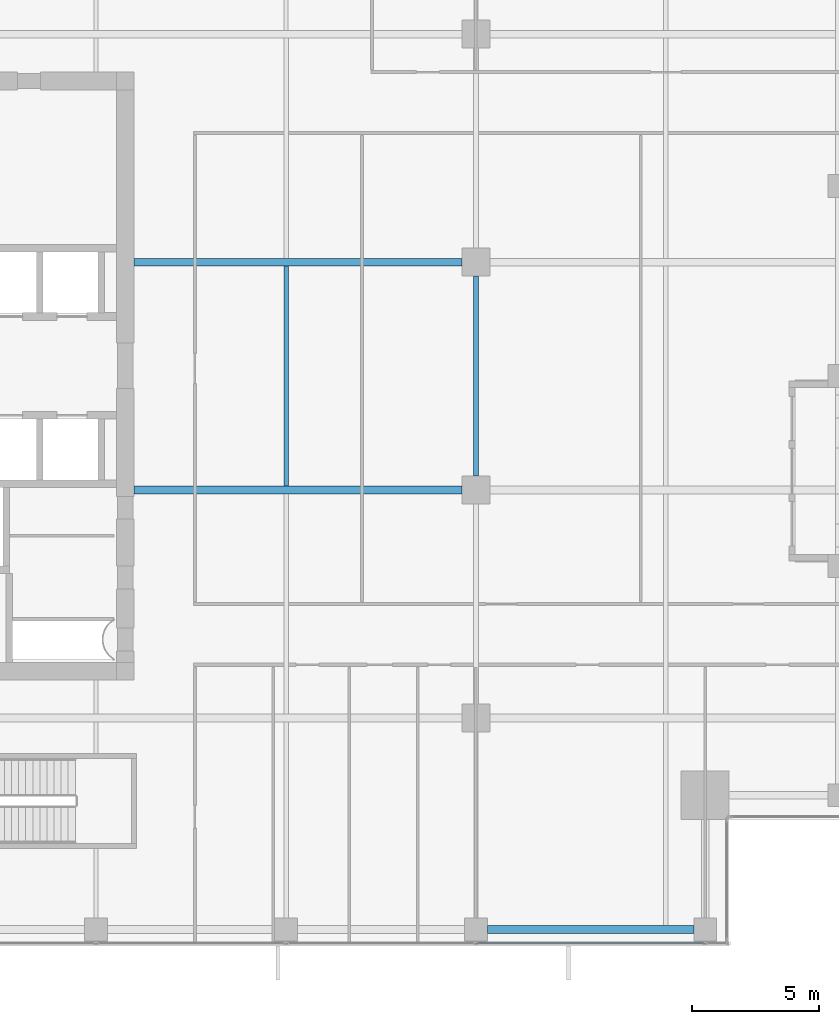
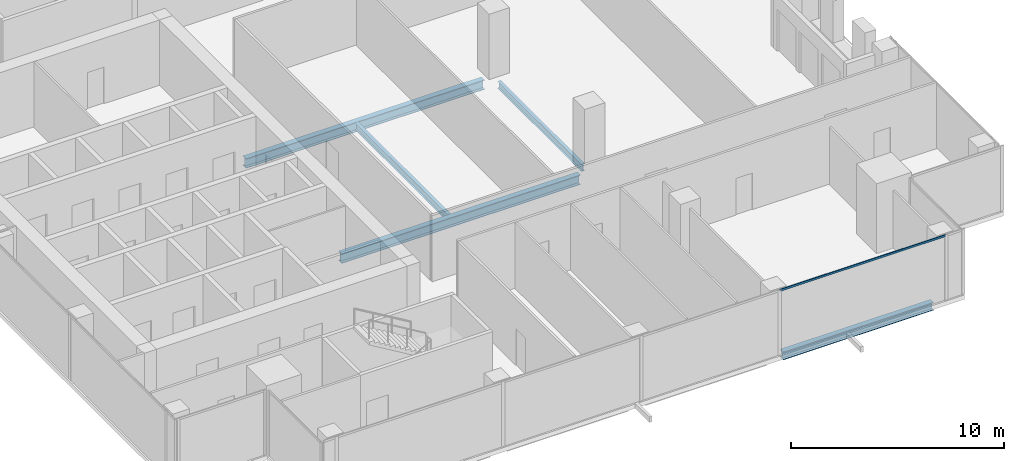
# One storey, part 9 of 36: 5 beams, 1 member, 1 element without a shape of its own.
"""IFC4 building model written with IfcOpenShell, lengths in metres."""

from ifc_helpers import new_model, si_unit, direction, frame, origin, origin_2d, place, context, subcontext, project, spatial, hollow_rectangle, i_section, extrude, source, transform, mapped, material, material_profile, profile_set, type_object, element, aggregate, save


model = new_model("IFC4")

# Units and contexts
model_context = context("Model", 3, precision=1e-05, world=origin(), true_north=direction((0.0, 1.0)))
body_context = subcontext(model_context, "Body", "Model", "MODEL_VIEW")
ifc_project = project(units=[si_unit("LENGTHUNIT", "METRE"), si_unit("AREAUNIT", "SQUARE_METRE"), si_unit("VOLUMEUNIT", "CUBIC_METRE"), si_unit("PLANEANGLEUNIT", "RADIAN"), si_unit("MASSUNIT", "GRAM", prefix="KILO")], contexts=[model_context])

# Site, building, storey
site_placement = place(None, origin())
site = spatial("IfcSite", under=ifc_project, at=site_placement, CompositionType="ELEMENT")
building_placement = place(site_placement, origin())
building = spatial("IfcBuilding", under=site, at=building_placement, Name="Khomas Fold Tower", CompositionType="ELEMENT")
storey_placement = place(building_placement, frame((0.0, 0.0, 230.199951171875)))
storey = spatial("IfcBuildingStorey", under=building, at=storey_placement, Name="L51", CompositionType="ELEMENT", Elevation=230.199951171875)

# Beams
ifc_material_1 = material(Name="Steel S355", Category="steel")
ifc_material_profile_1 = material_profile(ifc_material_1, i_section(OverallWidth=0.179931640625, OverallDepth=0.39990234375, WebThickness=0.008544921875, FlangeThickness=0.013427734375, at=origin_2d()), Name="IPE 400")
ifc_profile_set_1 = profile_set([ifc_material_profile_1], Name="Steel S355")
beam_type_1 = type_object("IfcBeamType", Name="IPE 400 beam JB3", PredefinedType="BEAM", material=ifc_profile_set_1)
shared_shape_1 = source(origin(), body_context, "Body", "SweptSolid", [
    extrude(i_section(OverallWidth=0.179931640625, OverallDepth=0.39990234375, WebThickness=0.008544921875, FlangeThickness=0.013427734375, at=origin_2d()), origin(), (0.0, 0.0, 1.0), 8.7001953125),
])
beam_1_placement = place(storey_placement, frame((27.0, 22.64990234375, -0.449951171875), z_axis=(0.0, 1.0, 0.0), x_axis=(-1.0, 0.0, 0.0)))
element("IfcBeam", 1, at=beam_1_placement, inside=storey, type_object=beam_type_1, Name="JB3", PredefinedType="BEAM", context=body_context, shape_type="MappedRepresentation", body=[
    mapped(shared_shape_1, transform((0.0, 0.0, 0.0))),
])
ifc_material_2 = material(Name="Steel S355", Category="steel")
ifc_material_profile_2 = material_profile(ifc_material_2, i_section(OverallWidth=0.300048828125, OverallDepth=0.449951171875, WebThickness=0.013916015625, FlangeThickness=0.02587890625, at=origin_2d()), Name="HE 450 B")
ifc_profile_set_2 = profile_set([ifc_material_profile_2], Name="Steel S355")
beam_type_2 = type_object("IfcBeamType", Name="HE 450 B spandrel SB4", PredefinedType="SPANDREL", material=ifc_profile_set_2)
shared_shape_2 = source(origin(), body_context, "Body", "SweptSolid", [
    extrude(i_section(OverallWidth=0.300048828125, OverallDepth=0.449951171875, WebThickness=0.013916015625, FlangeThickness=0.02587890625, at=origin_2d()), origin(), (0.0, 0.0, 1.0), 8.150146484375),
])
beam_2_placement = place(storey_placement, frame((34.949951171875, 5.14990234375, -0.474853515625), z_axis=(1.0, 0.0, 0.0), x_axis=(0.0, 1.0, 0.0)))
element("IfcBeam", 2, at=beam_2_placement, inside=storey, type_object=beam_type_2, Name="SB4", PredefinedType="SPANDREL", context=body_context, shape_type="MappedRepresentation", body=[
    mapped(shared_shape_2, transform((0.0, 0.0, 0.0))),
])
ifc_material_3 = material(Name="Steel S355", Category="steel")
ifc_material_profile_3 = material_profile(ifc_material_3, i_section(OverallWidth=0.300048828125, OverallDepth=0.550048828125, WebThickness=0.014892578125, FlangeThickness=0.029052734375, at=origin_2d()), Name="HE 550 B")
ifc_profile_set_3 = profile_set([ifc_material_profile_3], Name="Steel S355")
beam_type_3 = type_object("IfcBeamType", Name="HE 550 B beam GB4", PredefinedType="BEAM", material=ifc_profile_set_3)
shared_shape_3 = source(origin(), body_context, "Body", "SweptSolid", [
    extrude(i_section(OverallWidth=0.300048828125, OverallDepth=0.550048828125, WebThickness=0.014892578125, FlangeThickness=0.029052734375, at=origin_2d()), origin(), (0.0, 0.0, 1.0), 12.949951171875),
])
for number, where, z_axis, x_axis, name in (
    (3, (21.0, 22.5, -0.52490234375), (1.0, 0.0, 0.0), (0.0, 1.0, 0.0), "GB4"),
    (4, (21.0, 31.5, -0.52490234375), (1.0, 0.0, 0.0), (0.0, 1.0, 0.0), "GB4"),
):
    element("IfcBeam", number, at=place(storey_placement, frame(where, z_axis=z_axis, x_axis=x_axis)), inside=storey, type_object=beam_type_3, Name=name, PredefinedType="BEAM", context=body_context, shape_type="MappedRepresentation", body=[
        mapped(shared_shape_3, transform((0.0, 0.0, 0.0))),
    ])
shared_shape_4 = source(origin(), body_context, "Body", "SweptSolid", [
    extrude(i_section(OverallWidth=0.179931640625, OverallDepth=0.39990234375, WebThickness=0.008544921875, FlangeThickness=0.013427734375, at=origin_2d()), origin(), (0.0, 0.0, 1.0), 7.89990234375),
])
beam_3_placement = place(storey_placement, frame((34.5, 23.050048828125, -0.449951171875), z_axis=(0.0, 1.0, 0.0), x_axis=(-1.0, 0.0, 0.0)))
element("IfcBeam", 5, at=beam_3_placement, inside=storey, type_object=beam_type_1, Name="JB3", PredefinedType="BEAM", context=body_context, shape_type="MappedRepresentation", body=[
    mapped(shared_shape_4, transform((0.0, 0.0, 0.0))),
])

# Curtain wall, member
ifc_material_4 = material(Name="Aluminium framed double glazing", Category="aluminium")
curtain_wall_type = type_object("IfcCurtainWallType", Name="SK-Unitised clear-glass wall, office floors CW2", PredefinedType="NOTDEFINED", material=ifc_material_4)
curtain_wall_placement = place(storey_placement, origin())
curtain_wall = element("IfcCurtainWall", 6, at=curtain_wall_placement, inside=storey, type_object=curtain_wall_type, Name="CW2 run L51 00-0", PredefinedType="NOTDEFINED")
ifc_material_5 = material(Name="Aluminium", Category="aluminium")
ifc_material_profile_4 = material_profile(ifc_material_5, hollow_rectangle(XDim=0.050048828125, YDim=0.110107421875, WallThickness=0.00390625, at=origin_2d()), Name="SK-Unitised clear-glass wall, office floors transom CW2-T")
ifc_profile_set_4 = profile_set([ifc_material_profile_4], Name="Aluminium")
member_type = type_object("IfcMemberType", Name="SK-Unitised clear-glass wall, office floors transom CW2-T", PredefinedType="USERDEFINED", material=ifc_profile_set_4)
shared_shape_5 = source(origin(), body_context, "Body", "SweptSolid", [
    extrude(hollow_rectangle(XDim=0.050048828125, YDim=0.110107421875, WallThickness=0.00390625, at=origin_2d()), origin(), (0.0, 0.0, 1.0), 8.989990234375),
])
member_placement = place(storey_placement, frame((34.530029296875, 4.60009765625, 3.695068359375), z_axis=(1.0, 0.0, 0.0), x_axis=(0.0, 1.0, 0.0)))
member = element("IfcMember", 7, at=member_placement, type_object=member_type, Name="CW2 transom 5", ObjectType="TRANSOM", PredefinedType="USERDEFINED", context=body_context, shape_type="MappedRepresentation", body=[
    mapped(shared_shape_5, transform((0.0, 0.0, 0.0))),
])
aggregate(curtain_wall, [member])

save(model, "model.ifc")
